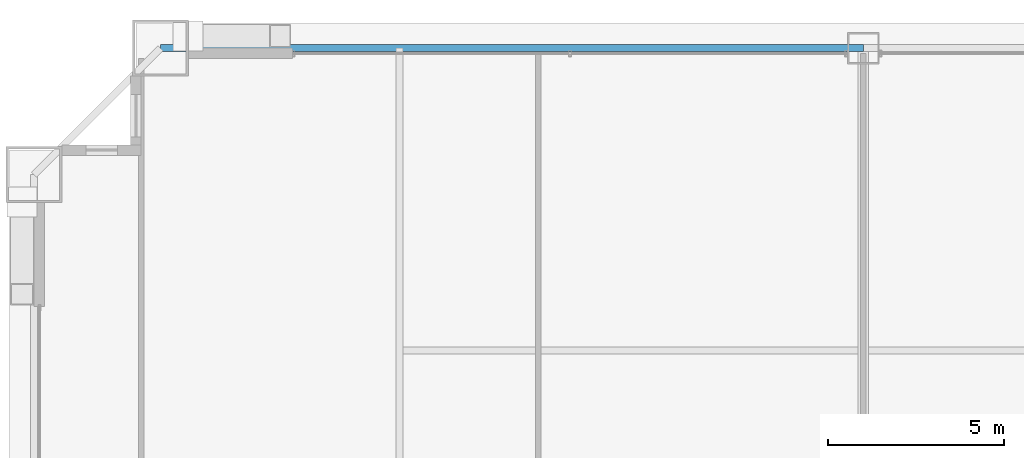
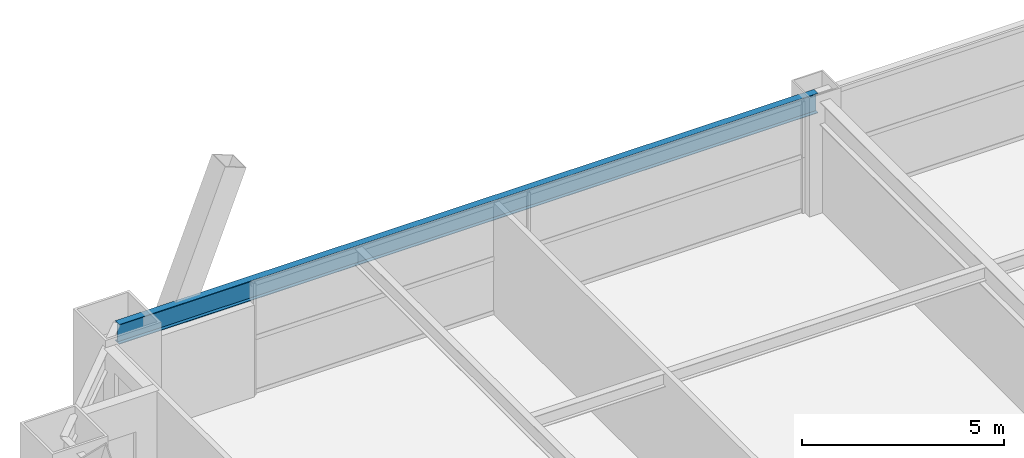
# One storey, part 28 of 43: 1 beam.
"""IFC4 building model written with IfcOpenShell, lengths in metres."""

from ifc_helpers import new_model, si_unit, direction, frame, origin, origin_2d, place, context, subcontext, project, spatial, i_section, extrude, source, transform, mapped, material, material_profile, profile_set, type_object, element, save


model = new_model("IFC4")

# Units and contexts
model_context = context("Model", 3, precision=1e-05, world=origin(), true_north=direction((0.0, 1.0)))
body_context = subcontext(model_context, "Body", "Model", "MODEL_VIEW")
ifc_project = project(units=[si_unit("LENGTHUNIT", "METRE"), si_unit("AREAUNIT", "SQUARE_METRE"), si_unit("VOLUMEUNIT", "CUBIC_METRE"), si_unit("PLANEANGLEUNIT", "RADIAN"), si_unit("MASSUNIT", "GRAM", prefix="KILO"), si_unit("THERMODYNAMICTEMPERATUREUNIT", "KELVIN"), si_unit("POWERUNIT", "WATT")], contexts=[model_context])

# Site, building, storey
site_placement = place(None, origin())
site = spatial("IfcSite", under=ifc_project, at=site_placement, CompositionType="ELEMENT")
building_placement = place(site_placement, origin())
building = spatial("IfcBuilding", under=site, at=building_placement, Name="Yuzanri Waterfront Tower", CompositionType="ELEMENT")
storey_placement = place(building_placement, frame((0.0, 0.0, 108.199951171875)))
storey = spatial("IfcBuildingStorey", under=building, at=storey_placement, Name="L28", CompositionType="ELEMENT", Elevation=108.199951171875)

# Beam
ifc_material = material(Name="Steel Q355B", Category="steel")
ifc_material_profile = material_profile(ifc_material, i_section(OverallWidth=0.199951171875, OverallDepth=0.60009765625, WebThickness=0.010986328125, FlangeThickness=0.01708984375, at=origin_2d()), Name="HN 600x200x11x17")
ifc_profile_set = profile_set([ifc_material_profile], Name="Steel Q355B")
beam_type = type_object("IfcBeamType", Name="Perimeter Spandrel Q355B HN 600x200", PredefinedType="SPANDREL", material=ifc_profile_set)
shared_shape = source(origin(), body_context, "Body", "SweptSolid", [
    extrude(i_section(OverallWidth=0.199951171875, OverallDepth=0.60009765625, WebThickness=0.010986328125, FlangeThickness=0.01708984375, at=origin_2d()), origin(), (0.0, 0.0, 1.0), 20.0),
])
beam_placement = place(storey_placement, frame((37.0, 49.39990234375, 3.080078125), z_axis=(-1.0, 0.0, 0.0), x_axis=(0.0, -1.0, 0.0)))
element("IfcBeam", 1, at=beam_placement, inside=storey, type_object=beam_type, Name="L28 Perimeter Spandrel N2-N1", PredefinedType="SPANDREL", context=body_context, shape_type="MappedRepresentation", body=[
    mapped(shared_shape, transform((0.0, 0.0, 0.0), scale=1.0)),
])

save(model, "model.ifc")
